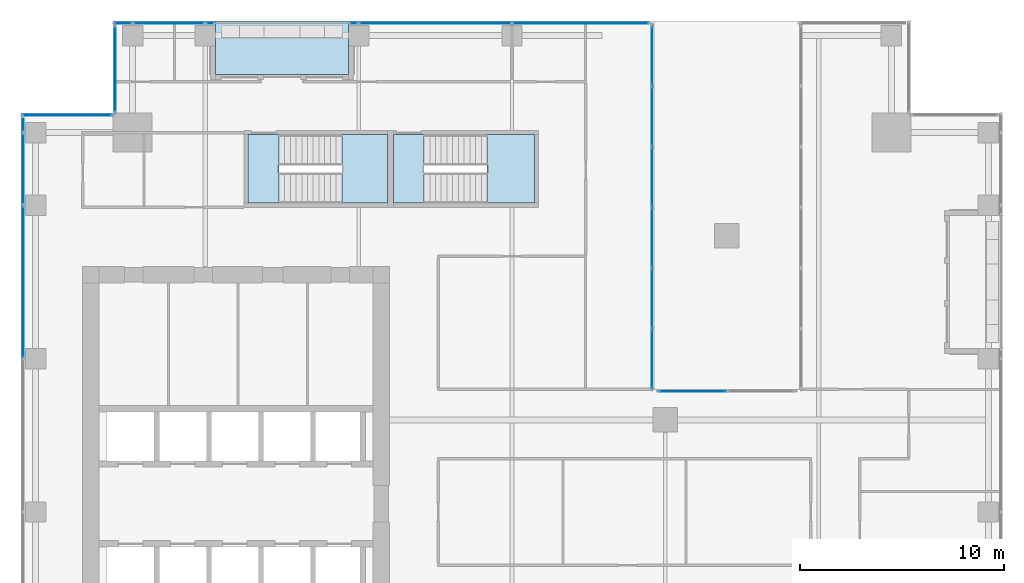
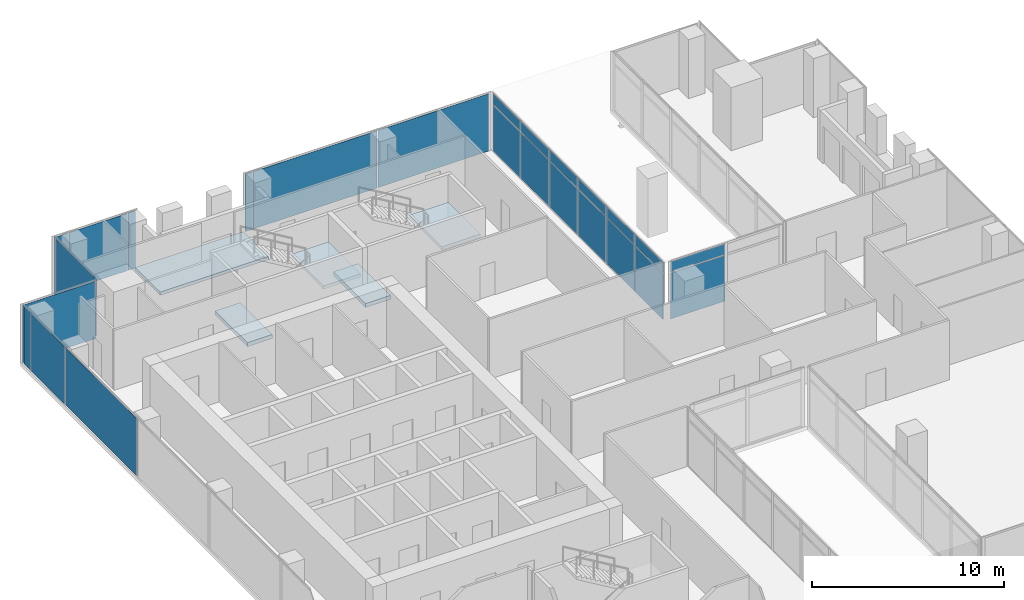
# One storey, part 32 of 40: 25 plates, 5 slabs, 9 elements without a shape of their own.
"""IFC4 building model written with IfcOpenShell, lengths in metres."""

from ifc_helpers import new_model, si_unit, direction, frame, origin, origin_2d, place, context, subcontext, project, spatial, polyline, rectangle, outline, extrude, source, transform, mapped, material, layer, layer_set, type_object, element, aggregate, save


model = new_model("IFC4")

# Units and contexts
model_context = context("Model", 3, precision=1e-05, world=origin(), true_north=direction((0.0, 1.0)))
body_context = subcontext(model_context, "Body", "Model", "MODEL_VIEW")
ifc_project = project(units=[si_unit("LENGTHUNIT", "METRE"), si_unit("AREAUNIT", "SQUARE_METRE"), si_unit("VOLUMEUNIT", "CUBIC_METRE"), si_unit("PLANEANGLEUNIT", "RADIAN"), si_unit("MASSUNIT", "GRAM", prefix="KILO")], contexts=[model_context])

# Site, building, storey
site_placement = place(None, origin())
site = spatial("IfcSite", under=ifc_project, at=site_placement, CompositionType="ELEMENT")
building_placement = place(site_placement, origin())
building = spatial("IfcBuilding", under=site, at=building_placement, Name="Khomas Fold Tower", CompositionType="ELEMENT")
storey_placement = place(building_placement, frame((0.0, 0.0, 184.699951171875)))
storey = spatial("IfcBuildingStorey", under=building, at=storey_placement, Name="L40", CompositionType="ELEMENT", Elevation=184.699951171875)

# Curtain wall, plate
ifc_material_1 = material(Name="Aluminium framed double glazing", Category="aluminium")
curtain_wall_type_1 = type_object("IfcCurtainWallType", Name="SK-Unitised clear-glass wall, office floors CW2", PredefinedType="NOTDEFINED", material=ifc_material_1)
curtain_wall_1_placement = place(storey_placement, origin())
curtain_wall_1 = element("IfcCurtainWall", 1, at=curtain_wall_1_placement, inside=storey, type_object=curtain_wall_type_1, Name="CW2 corner return L40 17", PredefinedType="NOTDEFINED")
ifc_material_2 = material(Name="Clear double glazed unit")
ifc_layer_1 = layer(ifc_material_2, 0.030029296875)
ifc_layer_set_1 = layer_set([ifc_layer_1], Name="Clear double glazed unit")
plate_type_1 = type_object("IfcPlateType", Name="SK-Unitised clear-glass wall, office floors glass panel CW2-P", PredefinedType="CURTAIN_PANEL", material=ifc_layer_set_1)
shared_shape_1 = source(origin(), body_context, "Body", "SweptSolid", [
    extrude(rectangle(XDim=4.3798828125, YDim=0.030029296875, at=origin_2d()), origin(), (0.0, 0.0, 1.0), 3.639892578125),
])
plate_1_placement = place(storey_placement, frame((5.25, 46.39990234375, 0.0), z_axis=(0.0, 0.0, 1.0), x_axis=(-1.0, 0.0, 0.0)))
plate_1 = element("IfcPlate", 2, at=plate_1_placement, type_object=plate_type_1, Name="CW2 glass panel 1", PredefinedType="CURTAIN_PANEL", context=body_context, shape_type="MappedRepresentation", body=[
    mapped(shared_shape_1, transform((0.0, 0.0, 0.0))),
])
aggregate(curtain_wall_1, [plate_1])

curtain_wall_2_placement = place(storey_placement, origin())
curtain_wall_2 = element("IfcCurtainWall", 3, at=curtain_wall_2_placement, inside=storey, type_object=curtain_wall_type_1, Name="CW2 run L40 18-0", PredefinedType="NOTDEFINED")
shared_shape_2 = source(origin(), body_context, "Body", "SweptSolid", [
    extrude(rectangle(XDim=0.659912109375, YDim=0.030029296875, at=origin_2d()), origin(), (0.0, 0.0, 1.0), 3.639892578125),
])
plate_2_placement = place(storey_placement, frame((3.10009765625, 45.909912109375, 0.0), z_axis=(0.0, 0.0, 1.0), x_axis=(0.0, -1.0, 0.0)))
plate_2 = element("IfcPlate", 4, at=plate_2_placement, type_object=plate_type_1, Name="CW2 glass panel 1", PredefinedType="CURTAIN_PANEL", context=body_context, shape_type="MappedRepresentation", body=[
    mapped(shared_shape_2, transform((0.0, 0.0, 0.0))),
])

curtain_wall_3_placement = place(storey_placement, origin())
curtain_wall_3 = element("IfcCurtainWall", 5, at=curtain_wall_3_placement, inside=storey, type_object=curtain_wall_type_1, Name="CW2 run L40 15-1", PredefinedType="NOTDEFINED")
shared_shape_3 = source(origin(), body_context, "Body", "SweptSolid", [
    extrude(rectangle(XDim=3.489990234375, YDim=0.030029296875, at=origin_2d()), origin(), (0.0, 0.0, 1.0), 3.639892578125),
])
plate_3_placement = place(storey_placement, frame((10.22509765625, 50.89990234375, 0.0), z_axis=(0.0, 0.0, 1.0), x_axis=(-1.0, 0.0, 0.0)))
plate_3 = element("IfcPlate", 6, at=plate_3_placement, type_object=plate_type_1, Name="CW2 glass panel 2", PredefinedType="CURTAIN_PANEL", context=body_context, shape_type="MappedRepresentation", body=[
    mapped(shared_shape_3, transform((0.0, 0.0, 0.0))),
])

# Plate
plate_4_placement = place(storey_placement, frame((3.10009765625, 43.77490234375, 0.0), z_axis=(0.0, 0.0, 1.0), x_axis=(0.0, -1.0, 0.0)))
plate_4 = element("IfcPlate", 7, at=plate_4_placement, type_object=plate_type_1, Name="CW2 glass panel 2", PredefinedType="CURTAIN_PANEL", context=body_context, shape_type="MappedRepresentation", body=[
    mapped(shared_shape_3, transform((0.0, 0.0, 0.0))),
])

# Curtain wall, plate
curtain_wall_4_placement = place(storey_placement, origin())
curtain_wall_4 = element("IfcCurtainWall", 8, at=curtain_wall_4_placement, inside=storey, type_object=curtain_wall_type_1, Name="CW2 run L40 15-0", PredefinedType="NOTDEFINED")
shared_shape_4 = source(origin(), body_context, "Body", "SweptSolid", [
    extrude(rectangle(XDim=7.43994140625, YDim=0.030029296875, at=origin_2d()), origin(), (0.0, 0.0, 1.0), 3.639892578125),
])
plate_5_placement = place(storey_placement, frame((23.25, 50.89990234375, 0.0), z_axis=(0.0, 0.0, 1.0), x_axis=(-1.0, 0.0, 0.0)))
plate_5 = element("IfcPlate", 9, at=plate_5_placement, type_object=plate_type_1, Name="CW2 glass panel 2", PredefinedType="CURTAIN_PANEL", context=body_context, shape_type="MappedRepresentation", body=[
    mapped(shared_shape_4, transform((0.0, 0.0, 0.0))),
])

# Plate
plate_6_placement = place(storey_placement, frame((3.10009765625, 38.25, 0.0), z_axis=(0.0, 0.0, 1.0), x_axis=(0.0, -1.0, 0.0)))
plate_6 = element("IfcPlate", 10, at=plate_6_placement, type_object=plate_type_1, Name="CW2 glass panel 3", PredefinedType="CURTAIN_PANEL", context=body_context, shape_type="MappedRepresentation", body=[
    mapped(shared_shape_4, transform((0.0, 0.0, 0.0))),
])

aggregate(curtain_wall_2, [plate_2, plate_4, plate_6])

# Curtain wall, plate
curtain_wall_5_placement = place(storey_placement, origin())
curtain_wall_5 = element("IfcCurtainWall", 11, at=curtain_wall_5_placement, inside=storey, type_object=curtain_wall_type_1, Name="CW2 corner return L40 16", PredefinedType="NOTDEFINED")
shared_shape_5 = source(origin(), body_context, "Body", "SweptSolid", [
    extrude(rectangle(XDim=4.179931640625, YDim=0.030029296875, at=origin_2d()), origin(), (0.0, 0.0, 1.0), 3.639892578125),
])
plate_7_placement = place(storey_placement, frame((7.60009765625, 48.64990234375, 0.0), z_axis=(0.0, 0.0, 1.0), x_axis=(0.0, -1.0, 0.0)))
plate_7 = element("IfcPlate", 12, at=plate_7_placement, type_object=plate_type_1, Name="CW2 glass panel 1", PredefinedType="CURTAIN_PANEL", context=body_context, shape_type="MappedRepresentation", body=[
    mapped(shared_shape_5, transform((0.0, 0.0, 0.0))),
])
aggregate(curtain_wall_5, [plate_7])

# Plate
shared_shape_6 = source(origin(), body_context, "Body", "SweptSolid", [
    extrude(rectangle(XDim=0.409912109375, YDim=0.030029296875, at=origin_2d()), origin(), (0.0, 0.0, 1.0), 3.639892578125),
])
plate_8_placement = place(storey_placement, frame((19.264892578125, 50.89990234375, 0.0), z_axis=(0.0, 0.0, 1.0), x_axis=(-1.0, 0.0, 0.0)))
plate_8 = element("IfcPlate", 13, at=plate_8_placement, type_object=plate_type_1, Name="CW2 glass panel 3", PredefinedType="CURTAIN_PANEL", context=body_context, shape_type="MappedRepresentation", body=[
    mapped(shared_shape_6, transform((0.0, 0.0, 0.0))),
])

plate_9_placement = place(storey_placement, frame((12.235107421875, 50.89990234375, 0.0), z_axis=(0.0, 0.0, 1.0), x_axis=(-1.0, 0.0, 0.0)))
plate_9 = element("IfcPlate", 14, at=plate_9_placement, type_object=plate_type_1, Name="CW2 glass panel 1", PredefinedType="CURTAIN_PANEL", context=body_context, shape_type="MappedRepresentation", body=[
    mapped(shared_shape_6, transform((0.0, 0.0, 0.0))),
])

shared_shape_7 = source(origin(), body_context, "Body", "SweptSolid", [
    extrude(rectangle(XDim=0.860107421875, YDim=0.030029296875, at=origin_2d()), origin(), (0.0, 0.0, 1.0), 3.639892578125),
])
plate_10_placement = place(storey_placement, frame((7.989990234375, 50.89990234375, 0.0), z_axis=(0.0, 0.0, 1.0), x_axis=(-1.0, 0.0, 0.0)))
plate_10 = element("IfcPlate", 15, at=plate_10_placement, type_object=plate_type_1, Name="CW2 glass panel 3", PredefinedType="CURTAIN_PANEL", context=body_context, shape_type="MappedRepresentation", body=[
    mapped(shared_shape_7, transform((0.0, 0.0, 0.0))),
])

aggregate(curtain_wall_3, [plate_9, plate_3, plate_10])

shared_shape_8 = source(origin(), body_context, "Body", "SweptSolid", [
    extrude(rectangle(XDim=6.659912109375, YDim=0.030029296875, at=origin_2d()), origin(), (0.0, 0.0, 1.0), 3.639892578125),
])
plate_11_placement = place(storey_placement, frame((30.360107421875, 50.89990234375, 0.0), z_axis=(0.0, 0.0, 1.0), x_axis=(-1.0, 0.0, 0.0)))
plate_11 = element("IfcPlate", 16, at=plate_11_placement, type_object=plate_type_1, Name="CW2 glass panel 1", PredefinedType="CURTAIN_PANEL", context=body_context, shape_type="MappedRepresentation", body=[
    mapped(shared_shape_8, transform((0.0, 0.0, 0.0))),
])

aggregate(curtain_wall_4, [plate_11, plate_5, plate_8])

# Slab
ifc_material_3 = material(Name="Concrete C40/50", Category="concrete")
ifc_layer_2 = layer(ifc_material_3, 0.205078125)
ifc_layer_set_2 = layer_set([ifc_layer_2], Name="Concrete C40/50")
slab_type_1 = type_object("IfcSlabType", Name="BL-Balcony deck 205", PredefinedType="FLOOR", material=ifc_layer_set_2)
shared_shape_9 = source(origin(), body_context, "Body", "SweptSolid", [
    extrude(outline(polyline([(12.5, 48.39990234375), (19.0, 48.39990234375), (19.0, 51.0), (12.5, 51.0), (12.5, 48.39990234375)])), origin(), (0.0, 0.0, 1.0), 0.205078125),
])
slab_1_placement = place(storey_placement, frame((0.0, 0.0, -0.25)))
element("IfcSlab", 17, at=slab_1_placement, inside=storey, type_object=slab_type_1, Name="Balcony deck BAL-L40-N1", PredefinedType="FLOOR", context=body_context, shape_type="MappedRepresentation", body=[
    mapped(shared_shape_9, transform((0.0, 0.0, 0.0))),
])

# Curtain wall, plates
ifc_material_4 = material(Name="Aluminium framed double glazing", Category="aluminium")
curtain_wall_type_2 = type_object("IfcCurtainWallType", Name="Notch glazing GN-CW", PredefinedType="NOTDEFINED", material=ifc_material_4)
curtain_wall_6_placement = place(storey_placement, origin())
curtain_wall_6 = element("IfcCurtainWall", 18, at=curtain_wall_6_placement, inside=storey, type_object=curtain_wall_type_2, Name="Notch glazing run", PredefinedType="NOTDEFINED")
ifc_material_5 = material(Name="Double glazed unit")
ifc_layer_3 = layer(ifc_material_5, 0.031982421875)
ifc_layer_set_3 = layer_set([ifc_layer_3], Name="Double glazed unit")
plate_type_2 = type_object("IfcPlateType", Name="Notch glazing panel GN-CW-P", PredefinedType="CURTAIN_PANEL", material=ifc_layer_set_3)
shared_shape_10 = source(origin(), body_context, "Body", "SweptSolid", [
    extrude(rectangle(XDim=2.876708984375, YDim=0.031982421875, at=origin_2d()), origin(), (0.0, 0.0, 1.0), 2.909912109375),
])
plate_12_placement = place(storey_placement, frame((33.85009765625, 34.498291015625, 0.06005859375), z_axis=(0.0, 0.0, 1.0), x_axis=(0.0, 1.0, 0.0)))
plate_12 = element("IfcPlate", 19, at=plate_12_placement, type_object=plate_type_2, Name="GN-CW panel 1.1", PredefinedType="CURTAIN_PANEL", context=body_context, shape_type="MappedRepresentation", body=[
    mapped(shared_shape_10, transform((0.0, 0.0, 0.0))),
])
plate_13_placement = place(storey_placement, frame((33.85009765625, 49.3017578125, 0.06005859375), z_axis=(0.0, 0.0, 1.0), x_axis=(0.0, 1.0, 0.0)))
plate_13 = element("IfcPlate", 20, at=plate_13_placement, type_object=plate_type_2, Name="GN-CW panel 6.1", PredefinedType="CURTAIN_PANEL", context=body_context, shape_type="MappedRepresentation", body=[
    mapped(shared_shape_10, transform((0.0, 0.0, 0.0))),
])
shared_shape_11 = source(origin(), body_context, "Body", "SweptSolid", [
    extrude(rectangle(XDim=2.90673828125, YDim=0.031982421875, at=origin_2d()), origin(), (0.0, 0.0, 1.0), 2.909912109375),
])
plate_14_placement = place(storey_placement, frame((33.85009765625, 37.449951171875, 0.06005859375), z_axis=(0.0, 0.0, 1.0), x_axis=(0.0, 1.0, 0.0)))
plate_14 = element("IfcPlate", 21, at=plate_14_placement, type_object=plate_type_2, Name="GN-CW panel 2.1", PredefinedType="CURTAIN_PANEL", context=body_context, shape_type="MappedRepresentation", body=[
    mapped(shared_shape_11, transform((0.0, 0.0, 0.0))),
])
plate_15_placement = place(storey_placement, frame((33.85009765625, 40.416748046875, 0.06005859375), z_axis=(0.0, 0.0, 1.0), x_axis=(0.0, 1.0, 0.0)))
plate_15 = element("IfcPlate", 22, at=plate_15_placement, type_object=plate_type_2, Name="GN-CW panel 3.1", PredefinedType="CURTAIN_PANEL", context=body_context, shape_type="MappedRepresentation", body=[
    mapped(shared_shape_11, transform((0.0, 0.0, 0.0))),
])
plate_16_placement = place(storey_placement, frame((33.85009765625, 43.38330078125, 0.06005859375), z_axis=(0.0, 0.0, 1.0), x_axis=(0.0, 1.0, 0.0)))
plate_16 = element("IfcPlate", 23, at=plate_16_placement, type_object=plate_type_2, Name="GN-CW panel 4.1", PredefinedType="CURTAIN_PANEL", context=body_context, shape_type="MappedRepresentation", body=[
    mapped(shared_shape_11, transform((0.0, 0.0, 0.0))),
])
plate_17_placement = place(storey_placement, frame((33.85009765625, 46.35009765625, 0.06005859375), z_axis=(0.0, 0.0, 1.0), x_axis=(0.0, 1.0, 0.0)))
plate_17 = element("IfcPlate", 24, at=plate_17_placement, type_object=plate_type_2, Name="GN-CW panel 5.1", PredefinedType="CURTAIN_PANEL", context=body_context, shape_type="MappedRepresentation", body=[
    mapped(shared_shape_11, transform((0.0, 0.0, 0.0))),
])
shared_shape_12 = source(origin(), body_context, "Body", "SweptSolid", [
    extrude(rectangle(XDim=2.876708984375, YDim=0.031982421875, at=origin_2d()), origin(), (0.0, 0.0, 1.0), 0.659912109375),
])
plate_18_placement = place(storey_placement, frame((33.85009765625, 34.498291015625, 3.0302734375), z_axis=(0.0, 0.0, 1.0), x_axis=(0.0, 1.0, 0.0)))
plate_18 = element("IfcPlate", 25, at=plate_18_placement, type_object=plate_type_2, Name="GN-CW panel 1.2", PredefinedType="CURTAIN_PANEL", context=body_context, shape_type="MappedRepresentation", body=[
    mapped(shared_shape_12, transform((0.0, 0.0, 0.0))),
])
plate_19_placement = place(storey_placement, frame((33.85009765625, 49.3017578125, 3.0302734375), z_axis=(0.0, 0.0, 1.0), x_axis=(0.0, 1.0, 0.0)))
plate_19 = element("IfcPlate", 26, at=plate_19_placement, type_object=plate_type_2, Name="GN-CW panel 6.2", PredefinedType="CURTAIN_PANEL", context=body_context, shape_type="MappedRepresentation", body=[
    mapped(shared_shape_12, transform((0.0, 0.0, 0.0))),
])
shared_shape_13 = source(origin(), body_context, "Body", "SweptSolid", [
    extrude(rectangle(XDim=2.90673828125, YDim=0.031982421875, at=origin_2d()), origin(), (0.0, 0.0, 1.0), 0.659912109375),
])
plate_20_placement = place(storey_placement, frame((33.85009765625, 37.449951171875, 3.0302734375), z_axis=(0.0, 0.0, 1.0), x_axis=(0.0, 1.0, 0.0)))
plate_20 = element("IfcPlate", 27, at=plate_20_placement, type_object=plate_type_2, Name="GN-CW panel 2.2", PredefinedType="CURTAIN_PANEL", context=body_context, shape_type="MappedRepresentation", body=[
    mapped(shared_shape_13, transform((0.0, 0.0, 0.0))),
])
plate_21_placement = place(storey_placement, frame((33.85009765625, 40.416748046875, 3.0302734375), z_axis=(0.0, 0.0, 1.0), x_axis=(0.0, 1.0, 0.0)))
plate_21 = element("IfcPlate", 28, at=plate_21_placement, type_object=plate_type_2, Name="GN-CW panel 3.2", PredefinedType="CURTAIN_PANEL", context=body_context, shape_type="MappedRepresentation", body=[
    mapped(shared_shape_13, transform((0.0, 0.0, 0.0))),
])
plate_22_placement = place(storey_placement, frame((33.85009765625, 43.38330078125, 3.0302734375), z_axis=(0.0, 0.0, 1.0), x_axis=(0.0, 1.0, 0.0)))
plate_22 = element("IfcPlate", 29, at=plate_22_placement, type_object=plate_type_2, Name="GN-CW panel 4.2", PredefinedType="CURTAIN_PANEL", context=body_context, shape_type="MappedRepresentation", body=[
    mapped(shared_shape_13, transform((0.0, 0.0, 0.0))),
])
plate_23_placement = place(storey_placement, frame((33.85009765625, 46.35009765625, 3.0302734375), z_axis=(0.0, 0.0, 1.0), x_axis=(0.0, 1.0, 0.0)))
plate_23 = element("IfcPlate", 30, at=plate_23_placement, type_object=plate_type_2, Name="GN-CW panel 5.2", PredefinedType="CURTAIN_PANEL", context=body_context, shape_type="MappedRepresentation", body=[
    mapped(shared_shape_13, transform((0.0, 0.0, 0.0))),
])
aggregate(curtain_wall_6, [plate_12, plate_18, plate_14, plate_20, plate_15, plate_21, plate_16, plate_22, plate_17, plate_23, plate_13, plate_19])

curtain_wall_7_placement = place(storey_placement, origin())
curtain_wall_7 = element("IfcCurtainWall", 31, at=curtain_wall_7_placement, inside=storey, type_object=curtain_wall_type_2, Name="Notch glazing run", PredefinedType="NOTDEFINED")
shared_shape_14 = source(origin(), body_context, "Body", "SweptSolid", [
    extrude(rectangle(XDim=3.260009765625, YDim=0.031982421875, at=origin_2d()), origin(), (0.0, 0.0, 1.0), 2.909912109375),
])
plate_24_placement = place(storey_placement, frame((35.840087890625, 32.89990234375, 0.06005859375), z_axis=(0.0, 0.0, 1.0), x_axis=(-1.0, 0.0, 0.0)))
plate_24 = element("IfcPlate", 32, at=plate_24_placement, type_object=plate_type_2, Name="GN-CW panel 2.1", PredefinedType="CURTAIN_PANEL", context=body_context, shape_type="MappedRepresentation", body=[
    mapped(shared_shape_14, transform((0.0, 0.0, 0.0))),
])
shared_shape_15 = source(origin(), body_context, "Body", "SweptSolid", [
    extrude(rectangle(XDim=3.260009765625, YDim=0.031982421875, at=origin_2d()), origin(), (0.0, 0.0, 1.0), 0.659912109375),
])
plate_25_placement = place(storey_placement, frame((35.840087890625, 32.89990234375, 3.0302734375), z_axis=(0.0, 0.0, 1.0), x_axis=(-1.0, 0.0, 0.0)))
plate_25 = element("IfcPlate", 33, at=plate_25_placement, type_object=plate_type_2, Name="GN-CW panel 2.2", PredefinedType="CURTAIN_PANEL", context=body_context, shape_type="MappedRepresentation", body=[
    mapped(shared_shape_15, transform((0.0, 0.0, 0.0))),
])
aggregate(curtain_wall_7, [plate_24, plate_25])

# Stair, slab
ifc_material_6 = material(Name="Concrete C40/50", Category="concrete")
stair_type_1 = type_object("IfcStairType", Name="Stair ST1", PredefinedType="HALF_TURN_STAIR", material=ifc_material_6)
stair_1_placement = place(storey_placement, origin())
stair_1 = element("IfcStair", 34, at=stair_1_placement, inside=storey, type_object=stair_type_1, Name="L40 ST1", PredefinedType="HALF_TURN_STAIR")
ifc_material_7 = material(Name="Concrete C40/50", Category="concrete")
ifc_layer_4 = layer(ifc_material_7, 0.199951171875)
ifc_layer_set_4 = layer_set([ifc_layer_4], Name="Concrete C40/50")
slab_type_2 = type_object("IfcSlabType", Name="Stair landing 200", PredefinedType="LANDING", material=ifc_layer_set_4)
shared_shape_16 = source(origin(), body_context, "Body", "SweptSolid", [
    extrude(outline(polyline([(18.679931640625, 42.10009765625), (20.89990234375, 42.10009765625), (20.89990234375, 45.449951171875), (18.679931640625, 45.449951171875), (18.679931640625, 42.10009765625)])), origin(), (0.0, 0.0, 1.0), 0.199951171875),
])
slab_2_placement = place(storey_placement, frame((0.0, 0.0, 1.800048828125)))
slab_2 = element("IfcSlab", 35, at=slab_2_placement, type_object=slab_type_2, Name="ST1 landing 1", PredefinedType="LANDING", context=body_context, shape_type="MappedRepresentation", body=[
    mapped(shared_shape_16, transform((0.0, 0.0, 0.0))),
])
aggregate(stair_1, [slab_2])

# Slab
ifc_material_8 = material(Name="Concrete C40/50", Category="concrete")
ifc_layer_5 = layer(ifc_material_8, 0.25)
ifc_layer_set_5 = layer_set([ifc_layer_5], Name="Concrete C40/50")
slab_type_3 = type_object("IfcSlabType", Name="Stair floor landing 250", PredefinedType="LANDING", material=ifc_layer_set_5)
shared_shape_17 = source(origin(), body_context, "Body", "SweptSolid", [
    extrude(outline(polyline([(15.60009765625, 42.10009765625), (14.10009765625, 42.10009765625), (14.10009765625, 45.449951171875), (15.60009765625, 45.449951171875), (15.60009765625, 42.10009765625)])), origin(), (0.0, 0.0, 1.0), 0.25),
])
slab_3_placement = place(storey_placement, frame((0.0, 0.0, -0.25)))
element("IfcSlab", 36, at=slab_3_placement, inside=storey, type_object=slab_type_3, Name="ST1 floor landing", PredefinedType="LANDING", context=body_context, shape_type="MappedRepresentation", body=[
    mapped(shared_shape_17, transform((0.0, 0.0, 0.0))),
])

# Stair, slab
ifc_material_9 = material(Name="Concrete C40/50", Category="concrete")
stair_type_2 = type_object("IfcStairType", Name="Stair ST3", PredefinedType="HALF_TURN_STAIR", material=ifc_material_9)
stair_2_placement = place(storey_placement, origin())
stair_2 = element("IfcStair", 37, at=stair_2_placement, inside=storey, type_object=stair_type_2, Name="L40 ST3", PredefinedType="HALF_TURN_STAIR")
shared_shape_18 = source(origin(), body_context, "Body", "SweptSolid", [
    extrude(outline(polyline([(25.780029296875, 42.10009765625), (28.10009765625, 42.10009765625), (28.10009765625, 45.449951171875), (25.780029296875, 45.449951171875), (25.780029296875, 42.10009765625)])), origin(), (0.0, 0.0, 1.0), 0.199951171875),
])
slab_4_placement = place(storey_placement, frame((0.0, 0.0, 1.800048828125)))
slab_4 = element("IfcSlab", 38, at=slab_4_placement, type_object=slab_type_2, Name="ST3 landing 1", PredefinedType="LANDING", context=body_context, shape_type="MappedRepresentation", body=[
    mapped(shared_shape_18, transform((0.0, 0.0, 0.0))),
])
aggregate(stair_2, [slab_4])

# Slab
shared_shape_19 = source(origin(), body_context, "Body", "SweptSolid", [
    extrude(outline(polyline([(22.699951171875, 42.10009765625), (21.199951171875, 42.10009765625), (21.199951171875, 45.449951171875), (22.699951171875, 45.449951171875), (22.699951171875, 42.10009765625)])), origin(), (0.0, 0.0, 1.0), 0.25),
])
slab_5_placement = place(storey_placement, frame((0.0, 0.0, -0.25)))
element("IfcSlab", 39, at=slab_5_placement, inside=storey, type_object=slab_type_3, Name="ST3 floor landing", PredefinedType="LANDING", context=body_context, shape_type="MappedRepresentation", body=[
    mapped(shared_shape_19, transform((0.0, 0.0, 0.0))),
])

save(model, "model.ifc")
